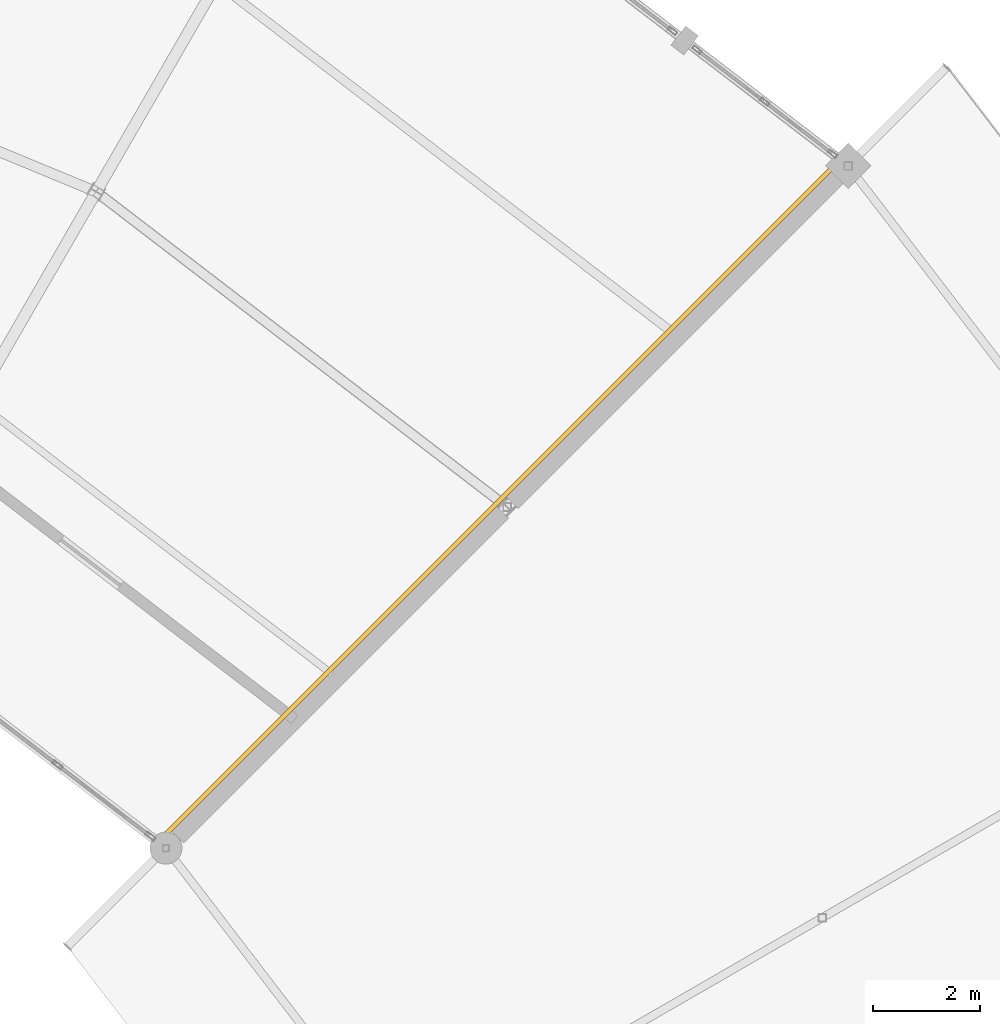
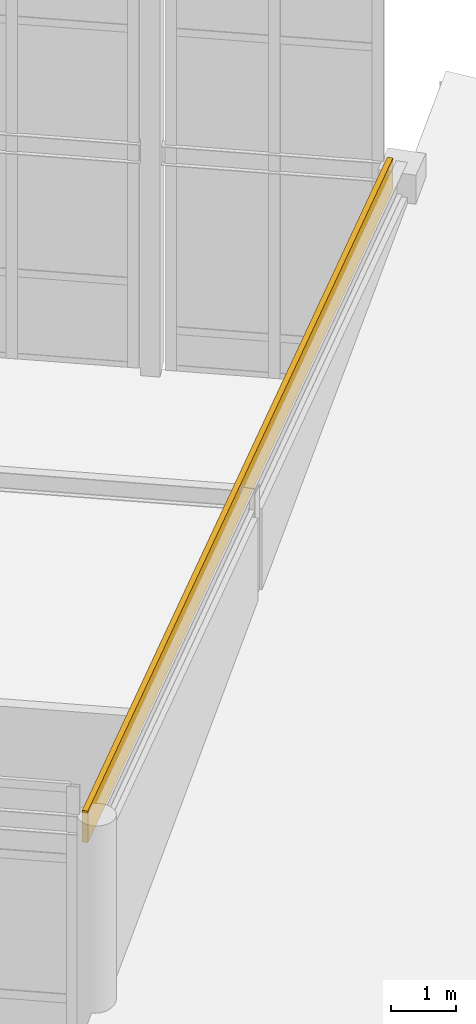
# One storey, part 200 of 200: 1 covering.
"""IFC4 building model written with IfcOpenShell, lengths in metres."""

from ifc_helpers import new_model, si_unit, direction, frame, origin, origin_2d, place, context, subcontext, project, spatial, rectangle, extrude, material, layer, layer_set, type_object, element, save


model = new_model("IFC4")

# Units and contexts
model_context = context("Model", 3, precision=1e-05, world=origin(), true_north=direction((0.0, 1.0)))
body_context = subcontext(model_context, "Body", "Model", "MODEL_VIEW")
ifc_project = project(units=[si_unit("LENGTHUNIT", "METRE"), si_unit("AREAUNIT", "SQUARE_METRE"), si_unit("VOLUMEUNIT", "CUBIC_METRE"), si_unit("PLANEANGLEUNIT", "RADIAN"), si_unit("MASSUNIT", "GRAM", prefix="KILO")], contexts=[model_context])

# Site, building, storey
site_placement = place(None, origin())
site = spatial("IfcSite", under=ifc_project, at=site_placement, CompositionType="ELEMENT")
building_placement = place(site_placement, origin())
building = spatial("IfcBuilding", under=site, at=building_placement, Name="Vondelvale Polytechnic", CompositionType="ELEMENT")
storey_placement = place(building_placement, frame((0.0, 0.0, 13.800048828125)))
storey = spatial("IfcBuildingStorey", under=building, at=storey_placement, Name="L03", CompositionType="ELEMENT", Elevation=13.800048828125)

# Covering
ifc_material = material(Name="Amsterdam School iron-spot clinker clay brickwork", Category="masonry")
ifc_layer = layer(ifc_material, 0.090087890625)
ifc_layer_set = layer_set([ifc_layer], Name="COV-BRICK-RELIEF")
covering_type = type_object("IfcCoveringType", Name="COV-BRICK-RELIEF", PredefinedType="CLADDING", material=ifc_layer_set)
covering_placement = place(storey_placement, frame((128.031982421875, 98.293701171875, 3.64990234375), z_axis=(0.0, 0.0, 1.0), x_axis=(0.707106781187, 0.707106781187, 0.0)))
element("IfcCovering", 1, at=covering_placement, inside=storey, type_object=covering_type, Name="L03 exterior masonry spandrel band", PredefinedType="CLADDING", context=body_context, shape_type="SweptSolid", body=[
    extrude(rectangle(XDim=18.0, YDim=0.090087890625, at=origin_2d()), origin(), (0.0, 0.0, 1.0), 0.590087890625),
])

save(model, "model.ifc")
